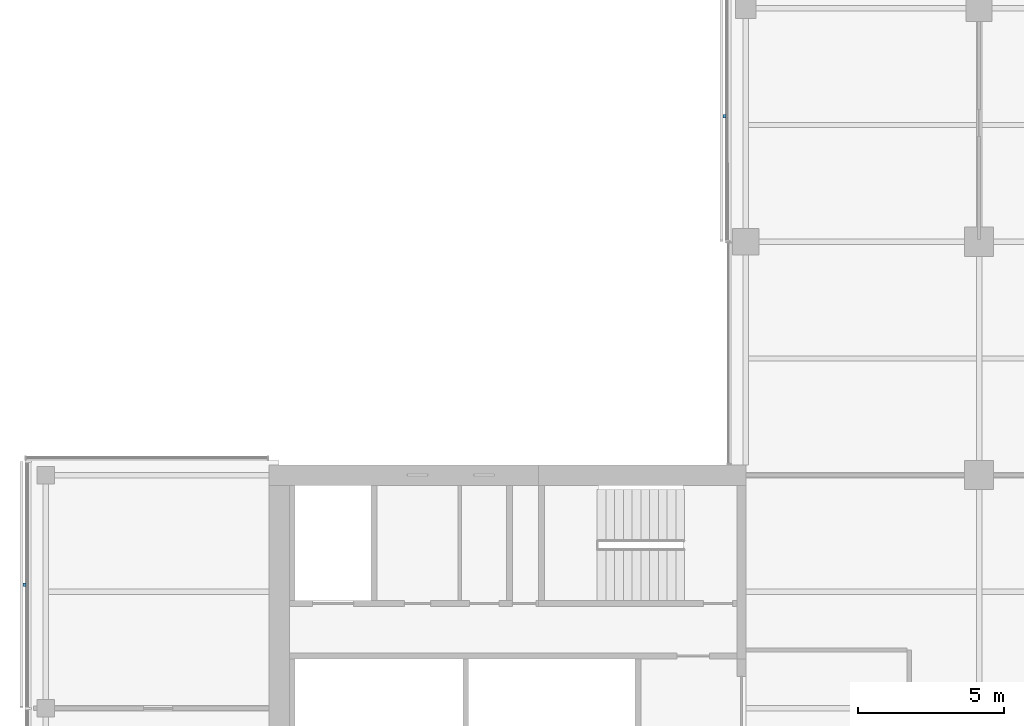
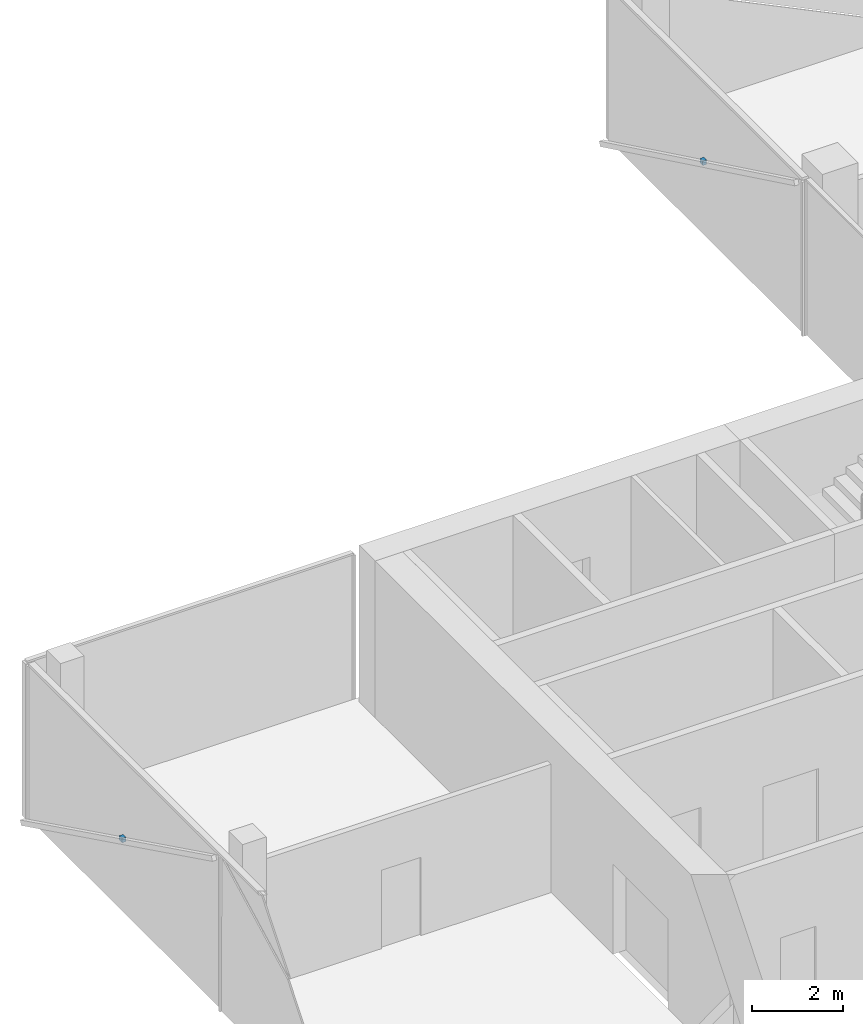
# One storey, part 19 of 22: 2 discrete accessories.
"""IFC4 building model written with IfcOpenShell, lengths in metres."""

import ifcopenshell
import ifcopenshell.guid

model = None  # the IFC model being written
_history = None  # IfcOwnerHistory: only IFC2X3 demands one
_inside = {}  # id of a spatial element -> (the spatial element, [elements in it])
_under = {}  # id of a project, library or spatial element -> (it, [spatial elements below it])
_declared = {}  # id of a project -> (the project, [libraries it declares])
_typed = {}  # id of a type object -> (the type object, [elements of that type])
_made_of = {}  # id of a material, layer set ... -> (it, [elements and type objects made of it])


def new_model(schema):
    """Start an empty IFC model of exactly this schema.

    Asked for "IFC4X3", IfcOpenShell would pick the latest addendum, in which some entities
    have other attributes; the version numbers below select the first issue.
    IFC2X3 requires an IfcOwnerHistory on every rooted entity: one is made here for all.
    """
    global model, _history
    if schema == "IFC4X3":
        model = ifcopenshell.file(schema_version=(4, 3, 0, 0))
    else:
        model = ifcopenshell.file(schema=schema)
    _inside.clear()
    _under.clear()
    _declared.clear()
    _typed.clear()
    _made_of.clear()
    _history = None
    if model.schema == "IFC2X3":
        org = make("IfcOrganization", Name="unknown")
        user = make(
            "IfcPersonAndOrganization",
            ThePerson=make("IfcPerson", FamilyName="unknown"),
            TheOrganization=org,
        )
        app = make(
            "IfcApplication",
            ApplicationDeveloper=org,
            Version="unknown",
            ApplicationFullName="unknown",
            ApplicationIdentifier="unknown",
        )
        _history = make(
            "IfcOwnerHistory",
            OwningUser=user,
            OwningApplication=app,
            ChangeAction="ADDED",
            CreationDate=0,
        )
    return model


def make(cls, **values):
    """One entity of the class cls with the attributes given. An attribute that is None is left unset."""
    return model.create_entity(
        cls, **{name: value for name, value in values.items() if value is not None}
    )


def rooted(cls, **values):
    """An entity with a GlobalId (a new one), such as an element, a storey or a relation."""
    return make(cls, GlobalId=ifcopenshell.guid.new(), OwnerHistory=_history, **values)


def si_unit(unit_type, name, prefix=None):
    """IfcSIUnit, for example si_unit("LENGTHUNIT", "METRE", prefix="MILLI")."""
    return make("IfcSIUnit", UnitType=unit_type, Prefix=prefix, Name=name)


def assignment(units):
    """IfcUnitAssignment: the units of a project."""
    return None if units is None else make("IfcUnitAssignment", Units=units)


def point(xyz):
    """IfcCartesianPoint."""
    return None if xyz is None else make("IfcCartesianPoint", Coordinates=xyz)


def direction(xyz):
    """IfcDirection."""
    return None if xyz is None else make("IfcDirection", DirectionRatios=xyz)


def frame(location, z_axis=None, x_axis=None):
    """IfcAxis2Placement3D, a coordinate frame: its origin and axes. An axis left out is left unset."""
    return make(
        "IfcAxis2Placement3D",
        Location=point(location),
        Axis=direction(z_axis),
        RefDirection=direction(x_axis),
    )


def frame_2d(location, x_axis=None):
    """IfcAxis2Placement2D, a coordinate frame in the plane: its origin and x axis."""
    return make(
        "IfcAxis2Placement2D", Location=point(location), RefDirection=direction(x_axis)
    )


def origin():
    """The frame at (0, 0, 0) with its axes left unset."""
    return frame((0.0, 0.0, 0.0))


def origin_2d():
    """The frame at (0, 0) in the plane with its x axis left unset."""
    return frame_2d((0.0, 0.0))


def place(relative_to, where):
    """IfcLocalPlacement: puts the frame where relative to a parent placement (None: the world)."""
    return make(
        "IfcLocalPlacement", PlacementRelTo=relative_to, RelativePlacement=where
    )


def context(
    kind, dimensions, precision=None, world=None, true_north=None, identifier=None
):
    """IfcGeometricRepresentationContext, for example the 3D "Model" context."""
    return make(
        "IfcGeometricRepresentationContext",
        ContextIdentifier=identifier,
        ContextType=kind,
        CoordinateSpaceDimension=dimensions,
        Precision=precision,
        WorldCoordinateSystem=world,
        TrueNorth=true_north,
    )


def subcontext(parent, identifier, kind, view, scale=None):
    """IfcGeometricRepresentationSubContext, for example "Body" below "Model"."""
    return make(
        "IfcGeometricRepresentationSubContext",
        ContextIdentifier=identifier,
        ContextType=kind,
        ParentContext=parent,
        TargetScale=scale,
        TargetView=view,
    )


def project(units=None, contexts=None):
    """IfcProject with its units and contexts."""
    return rooted(
        "IfcProject",
        Name="project",
        RepresentationContexts=contexts,
        UnitsInContext=assignment(units),
    )


def spatial(cls, under=None, at=None, **own):
    """A site, building, storey or space (cls), placed at a placement, below another one or the project."""
    s = rooted(cls, ObjectPlacement=at, **own)
    if under is not None:
        _under.setdefault(under.id(), (under, []))[1].append(s)
    return s


def profile(cls, at=None, kind="AREA", **sizes):
    """A parametric profile (cls). Its sizes go by their IFC names, for example OverallWidth=200.0."""
    return make(cls, ProfileType=kind, Position=at, **sizes)


def rectangle(**sizes):
    """IfcRectangleProfileDef."""
    return profile("IfcRectangleProfileDef", **sizes)


def extrude(swept, where, along, depth):
    """IfcExtrudedAreaSolid: the profile swept, set in the frame where, extruded along a direction by depth."""
    return make(
        "IfcExtrudedAreaSolid",
        SweptArea=swept,
        Position=where,
        ExtrudedDirection=direction(along),
        Depth=depth,
    )


def shape(context_of_items, identifier, shape_type, items):
    """IfcShapeRepresentation: the items that make up one representation, for example the "Body"."""
    return make(
        "IfcShapeRepresentation",
        ContextOfItems=context_of_items,
        RepresentationIdentifier=identifier,
        RepresentationType=shape_type,
        Items=items,
    )


def material(Name=None, Category=None):
    """IfcMaterial."""
    return make("IfcMaterial", Name=Name, Category=Category)


def made_of(thing, what):
    """Note that an element or type object is made of a material, layer set ...; save() writes the relation."""
    if what is not None:
        _made_of.setdefault(what.id(), (what, []))[1].append(thing)
    return thing


def type_object(cls, material=None, **own):
    """A type object (cls), such as IfcWallType, which elements share."""
    return made_of(rooted(cls, **own), material)


def element(
    cls,
    number,
    at=None,
    inside=None,
    cuts=None,
    type_object=None,
    material=None,
    context=None,
    identifier="Body",
    shape_type=None,
    held_by="IfcProductDefinitionShape",
    body=None,
    shapes=None,
    **own,
):
    """One element of the class cls, such as IfcWall. Its Tag is "e" and its number.

    at: its placement. inside: the storey or other place that contains it. cuts: it is an
    opening in that element (IfcRelVoidsElement). A single representation is given by context,
    identifier, shape_type and body (its items); several are given by shapes. held_by: the class
    of the entity that holds the representations. save() writes the other relations.
    """
    e = rooted(cls, Tag="e%d" % number, ObjectPlacement=at, **own)
    if body is not None:
        shapes = [shape(context, identifier, shape_type, body)]
    if shapes is not None:
        e.Representation = make(held_by, Representations=shapes)
    if inside is not None:
        _inside.setdefault(inside.id(), (inside, []))[1].append(e)
    if cuts is not None:
        rooted(
            "IfcRelVoidsElement", RelatingBuildingElement=cuts, RelatedOpeningElement=e
        )
    if type_object is not None:
        _typed.setdefault(type_object.id(), (type_object, []))[1].append(e)
    return made_of(e, material)


def aggregate(whole, parts):
    """IfcRelAggregates: a whole, such as a stair, and the parts it consists of."""
    return rooted("IfcRelAggregates", RelatingObject=whole, RelatedObjects=parts)


def save(model, path):
    """Write the relations noted so far, then the file.

    IfcRelAggregates (storeys below a building ...), IfcRelContainedInSpatialStructure (elements
    in a storey), IfcRelDefinesByType, IfcRelAssociatesMaterial and IfcRelDeclares: one each for
    every whole, place, type object, material and project.
    """
    for whole, parts in _under.values():
        aggregate(whole, parts)
    for where, things in _inside.values():
        rooted(
            "IfcRelContainedInSpatialStructure",
            RelatedElements=things,
            RelatingStructure=where,
        )
    for kind, things in _typed.values():
        rooted("IfcRelDefinesByType", RelatedObjects=things, RelatingType=kind)
    for what, things in _made_of.values():
        rooted("IfcRelAssociatesMaterial", RelatedObjects=things, RelatingMaterial=what)
    for by, libraries in _declared.values():
        rooted("IfcRelDeclares", RelatingContext=by, RelatedDefinitions=libraries)
    model.write(path)


model = new_model("IFC4")

# Units and contexts
model_context = context("Model", 3, precision=1e-05, world=origin(), true_north=direction((0.0, 1.0)))
body_context = subcontext(model_context, "Body", "Model", "MODEL_VIEW")
ifc_project = project(units=[si_unit("LENGTHUNIT", "METRE"), si_unit("AREAUNIT", "SQUARE_METRE"), si_unit("VOLUMEUNIT", "CUBIC_METRE"), si_unit("PLANEANGLEUNIT", "RADIAN"), si_unit("MASSUNIT", "GRAM", prefix="KILO")], contexts=[model_context])

# Site, building, storey
site_placement = place(None, origin())
site = spatial("IfcSite", under=ifc_project, at=site_placement, CompositionType="ELEMENT")
building_placement = place(site_placement, origin())
building = spatial("IfcBuilding", under=site, at=building_placement, Name="Crosswind Convention Tower", CompositionType="ELEMENT")
storey_placement = place(building_placement, frame((0.0, 0.0, 154.699951171875)))
storey = spatial("IfcBuildingStorey", under=building, at=storey_placement, Name="L32", CompositionType="ELEMENT", Elevation=154.699951171875)

# Discrete accessories
ifc_material = material(Name="Stainless steel", Category="steel")
discrete_accessory_type = type_object("IfcDiscreteAccessoryType", Name="BAGUETTE BRACKET BK3", PredefinedType="BRACKET", material=ifc_material)
for number, where, z_axis, x_axis, name in (
    (1, (112.27392578125, 124.304931640625, 1.705078125), (0.0, 0.0, 1.0), (0.0, -1.0, 0.0), "BK3 baguette bracket"),
    (2, (88.27392578125, 108.232421875, 1.705078125), (0.0, 0.0, 1.0), (0.0, -1.0, 0.0), "BK3 baguette bracket"),
):
    element("IfcDiscreteAccessory", number, at=place(storey_placement, frame(where, z_axis=z_axis, x_axis=x_axis)), inside=storey, type_object=discrete_accessory_type, Name=name, PredefinedType="BRACKET", context=body_context, shape_type="SweptSolid", body=[
        extrude(rectangle(XDim=0.1201171875, YDim=0.10009765625, at=origin_2d()), origin(), (0.0, 0.0, 1.0), 0.1201171875),
    ])

save(model, "model.ifc")
